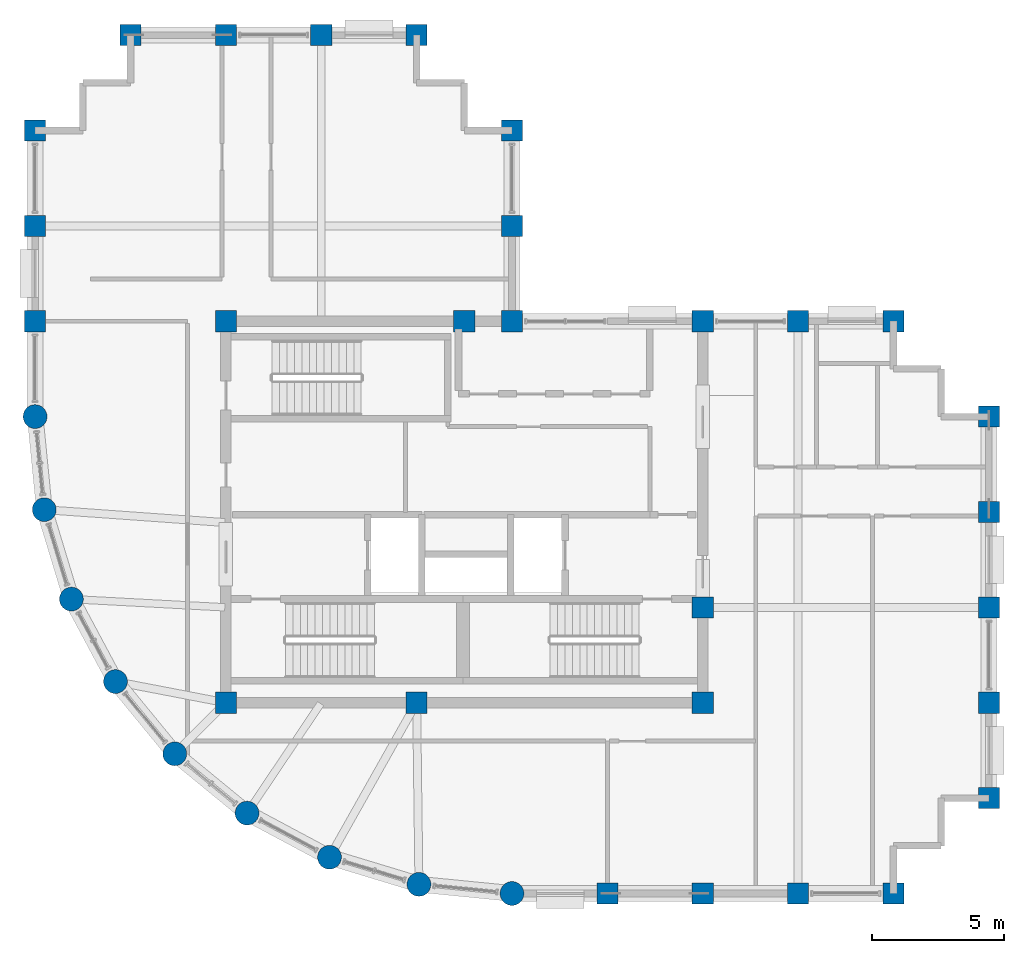
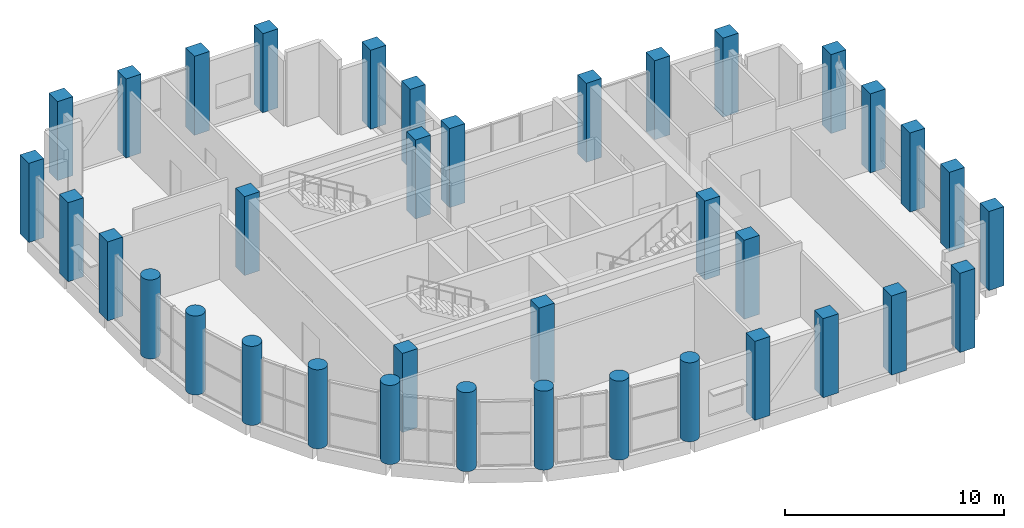
# One storey, part 1 of 18: 37 columns.
"""IFC4 building model written with IfcOpenShell, lengths in metres."""

import ifcopenshell
import ifcopenshell.guid

model = None  # the IFC model being written
_history = None  # IfcOwnerHistory: only IFC2X3 demands one
_inside = {}  # id of a spatial element -> (the spatial element, [elements in it])
_under = {}  # id of a project, library or spatial element -> (it, [spatial elements below it])
_declared = {}  # id of a project -> (the project, [libraries it declares])
_typed = {}  # id of a type object -> (the type object, [elements of that type])
_made_of = {}  # id of a material, layer set ... -> (it, [elements and type objects made of it])


def new_model(schema):
    """Start an empty IFC model of exactly this schema.

    Asked for "IFC4X3", IfcOpenShell would pick the latest addendum, in which some entities
    have other attributes; the version numbers below select the first issue.
    IFC2X3 requires an IfcOwnerHistory on every rooted entity: one is made here for all.
    """
    global model, _history
    if schema == "IFC4X3":
        model = ifcopenshell.file(schema_version=(4, 3, 0, 0))
    else:
        model = ifcopenshell.file(schema=schema)
    _inside.clear()
    _under.clear()
    _declared.clear()
    _typed.clear()
    _made_of.clear()
    _history = None
    if model.schema == "IFC2X3":
        org = make("IfcOrganization", Name="unknown")
        user = make(
            "IfcPersonAndOrganization",
            ThePerson=make("IfcPerson", FamilyName="unknown"),
            TheOrganization=org,
        )
        app = make(
            "IfcApplication",
            ApplicationDeveloper=org,
            Version="unknown",
            ApplicationFullName="unknown",
            ApplicationIdentifier="unknown",
        )
        _history = make(
            "IfcOwnerHistory",
            OwningUser=user,
            OwningApplication=app,
            ChangeAction="ADDED",
            CreationDate=0,
        )
    return model


def make(cls, **values):
    """One entity of the class cls with the attributes given. An attribute that is None is left unset."""
    return model.create_entity(
        cls, **{name: value for name, value in values.items() if value is not None}
    )


def rooted(cls, **values):
    """An entity with a GlobalId (a new one), such as an element, a storey or a relation."""
    return make(cls, GlobalId=ifcopenshell.guid.new(), OwnerHistory=_history, **values)


def si_unit(unit_type, name, prefix=None):
    """IfcSIUnit, for example si_unit("LENGTHUNIT", "METRE", prefix="MILLI")."""
    return make("IfcSIUnit", UnitType=unit_type, Prefix=prefix, Name=name)


def assignment(units):
    """IfcUnitAssignment: the units of a project."""
    return None if units is None else make("IfcUnitAssignment", Units=units)


def point(xyz):
    """IfcCartesianPoint."""
    return None if xyz is None else make("IfcCartesianPoint", Coordinates=xyz)


def direction(xyz):
    """IfcDirection."""
    return None if xyz is None else make("IfcDirection", DirectionRatios=xyz)


def frame(location, z_axis=None, x_axis=None):
    """IfcAxis2Placement3D, a coordinate frame: its origin and axes. An axis left out is left unset."""
    return make(
        "IfcAxis2Placement3D",
        Location=point(location),
        Axis=direction(z_axis),
        RefDirection=direction(x_axis),
    )


def frame_2d(location, x_axis=None):
    """IfcAxis2Placement2D, a coordinate frame in the plane: its origin and x axis."""
    return make(
        "IfcAxis2Placement2D", Location=point(location), RefDirection=direction(x_axis)
    )


def origin():
    """The frame at (0, 0, 0) with its axes left unset."""
    return frame((0.0, 0.0, 0.0))


def origin_2d():
    """The frame at (0, 0) in the plane with its x axis left unset."""
    return frame_2d((0.0, 0.0))


def place(relative_to, where):
    """IfcLocalPlacement: puts the frame where relative to a parent placement (None: the world)."""
    return make(
        "IfcLocalPlacement", PlacementRelTo=relative_to, RelativePlacement=where
    )


def context(
    kind, dimensions, precision=None, world=None, true_north=None, identifier=None
):
    """IfcGeometricRepresentationContext, for example the 3D "Model" context."""
    return make(
        "IfcGeometricRepresentationContext",
        ContextIdentifier=identifier,
        ContextType=kind,
        CoordinateSpaceDimension=dimensions,
        Precision=precision,
        WorldCoordinateSystem=world,
        TrueNorth=true_north,
    )


def subcontext(parent, identifier, kind, view, scale=None):
    """IfcGeometricRepresentationSubContext, for example "Body" below "Model"."""
    return make(
        "IfcGeometricRepresentationSubContext",
        ContextIdentifier=identifier,
        ContextType=kind,
        ParentContext=parent,
        TargetScale=scale,
        TargetView=view,
    )


def project(units=None, contexts=None):
    """IfcProject with its units and contexts."""
    return rooted(
        "IfcProject",
        Name="project",
        RepresentationContexts=contexts,
        UnitsInContext=assignment(units),
    )


def spatial(cls, under=None, at=None, **own):
    """A site, building, storey or space (cls), placed at a placement, below another one or the project."""
    s = rooted(cls, ObjectPlacement=at, **own)
    if under is not None:
        _under.setdefault(under.id(), (under, []))[1].append(s)
    return s


def profile(cls, at=None, kind="AREA", **sizes):
    """A parametric profile (cls). Its sizes go by their IFC names, for example OverallWidth=200.0."""
    return make(cls, ProfileType=kind, Position=at, **sizes)


def rectangle(**sizes):
    """IfcRectangleProfileDef."""
    return profile("IfcRectangleProfileDef", **sizes)


def circle(**sizes):
    """IfcCircleProfileDef."""
    return profile("IfcCircleProfileDef", **sizes)


def extrude(swept, where, along, depth):
    """IfcExtrudedAreaSolid: the profile swept, set in the frame where, extruded along a direction by depth."""
    return make(
        "IfcExtrudedAreaSolid",
        SweptArea=swept,
        Position=where,
        ExtrudedDirection=direction(along),
        Depth=depth,
    )


def shape(context_of_items, identifier, shape_type, items):
    """IfcShapeRepresentation: the items that make up one representation, for example the "Body"."""
    return make(
        "IfcShapeRepresentation",
        ContextOfItems=context_of_items,
        RepresentationIdentifier=identifier,
        RepresentationType=shape_type,
        Items=items,
    )


def material(Name=None, Category=None):
    """IfcMaterial."""
    return make("IfcMaterial", Name=Name, Category=Category)


def material_profile(
    of_material, cross_section, Name=None, Category=None, Priority=None
):
    """IfcMaterialProfile: a cross section and its material."""
    return make(
        "IfcMaterialProfile",
        Name=Name,
        Material=of_material,
        Profile=cross_section,
        Priority=Priority,
        Category=Category,
    )


def profile_set(profiles, Name=None, composite=None):
    """IfcMaterialProfileSet."""
    return make(
        "IfcMaterialProfileSet",
        Name=Name,
        MaterialProfiles=profiles,
        CompositeProfile=composite,
    )


def made_of(thing, what):
    """Note that an element or type object is made of a material, layer set ...; save() writes the relation."""
    if what is not None:
        _made_of.setdefault(what.id(), (what, []))[1].append(thing)
    return thing


def type_object(cls, material=None, **own):
    """A type object (cls), such as IfcWallType, which elements share."""
    return made_of(rooted(cls, **own), material)


def element(
    cls,
    number,
    at=None,
    inside=None,
    cuts=None,
    type_object=None,
    material=None,
    context=None,
    identifier="Body",
    shape_type=None,
    held_by="IfcProductDefinitionShape",
    body=None,
    shapes=None,
    **own,
):
    """One element of the class cls, such as IfcWall. Its Tag is "e" and its number.

    at: its placement. inside: the storey or other place that contains it. cuts: it is an
    opening in that element (IfcRelVoidsElement). A single representation is given by context,
    identifier, shape_type and body (its items); several are given by shapes. held_by: the class
    of the entity that holds the representations. save() writes the other relations.
    """
    e = rooted(cls, Tag="e%d" % number, ObjectPlacement=at, **own)
    if body is not None:
        shapes = [shape(context, identifier, shape_type, body)]
    if shapes is not None:
        e.Representation = make(held_by, Representations=shapes)
    if inside is not None:
        _inside.setdefault(inside.id(), (inside, []))[1].append(e)
    if cuts is not None:
        rooted(
            "IfcRelVoidsElement", RelatingBuildingElement=cuts, RelatedOpeningElement=e
        )
    if type_object is not None:
        _typed.setdefault(type_object.id(), (type_object, []))[1].append(e)
    return made_of(e, material)


def aggregate(whole, parts):
    """IfcRelAggregates: a whole, such as a stair, and the parts it consists of."""
    return rooted("IfcRelAggregates", RelatingObject=whole, RelatedObjects=parts)


def save(model, path):
    """Write the relations noted so far, then the file.

    IfcRelAggregates (storeys below a building ...), IfcRelContainedInSpatialStructure (elements
    in a storey), IfcRelDefinesByType, IfcRelAssociatesMaterial and IfcRelDeclares: one each for
    every whole, place, type object, material and project.
    """
    for whole, parts in _under.values():
        aggregate(whole, parts)
    for where, things in _inside.values():
        rooted(
            "IfcRelContainedInSpatialStructure",
            RelatedElements=things,
            RelatingStructure=where,
        )
    for kind, things in _typed.values():
        rooted("IfcRelDefinesByType", RelatedObjects=things, RelatingType=kind)
    for what, things in _made_of.values():
        rooted("IfcRelAssociatesMaterial", RelatedObjects=things, RelatingMaterial=what)
    for by, libraries in _declared.values():
        rooted("IfcRelDeclares", RelatingContext=by, RelatedDefinitions=libraries)
    model.write(path)


model = new_model("IFC4")

# Units and contexts
model_context = context("Model", 3, precision=1e-05, world=origin(), true_north=direction((0.0, 1.0)))
body_context = subcontext(model_context, "Body", "Model", "MODEL_VIEW")
ifc_project = project(units=[si_unit("LENGTHUNIT", "METRE"), si_unit("AREAUNIT", "SQUARE_METRE"), si_unit("VOLUMEUNIT", "CUBIC_METRE"), si_unit("PLANEANGLEUNIT", "RADIAN"), si_unit("MASSUNIT", "GRAM", prefix="KILO")], contexts=[model_context])

# Site, building, storey
site_placement = place(None, origin())
site = spatial("IfcSite", under=ifc_project, at=site_placement, CompositionType="ELEMENT")
building_placement = place(site_placement, origin())
building = spatial("IfcBuilding", under=site, at=building_placement, Name="Solnavia Interchange Tower", CompositionType="ELEMENT")
storey_placement = place(building_placement, frame((0.0, 0.0, 295.39990234375)))
storey = spatial("IfcBuildingStorey", under=building, at=storey_placement, Name="L75", CompositionType="ELEMENT", Elevation=295.39990234375)

# Columns
ifc_material = material(Name="Concrete C50/60", Category="concrete")
ifc_material_profile_1 = material_profile(ifc_material, rectangle(XDim=0.800048828125, YDim=0.800048828125, at=origin_2d()), Name="RC 800x800")
ifc_profile_set_1 = profile_set([ifc_material_profile_1], Name="Concrete C50/60")
column_type_1 = type_object("IfcColumnType", Name="Col-RC-800x800", PredefinedType="COLUMN", material=ifc_profile_set_1)
for number, where, z_axis, x_axis, name in (
    (1, (7.199951171875, 25.199951171875, 0.0), (0.0, 0.0, 1.0), (0.0, 1.0, 0.0), "COL-L75-02 Tower perim y column"),
    (2, (7.199951171875, 28.800048828125, 0.0), (0.0, 0.0, 1.0), (0.0, 1.0, 0.0), "COL-L75-03 Tower perim y column"),
    (3, (7.199951171875, 32.39990234375, 0.0), (0.0, 0.0, 1.0), (0.0, 1.0, 0.0), "COL-L75-04 Tower corner column"),
    (4, (10.800048828125, 36.0, 0.0), (0.0, 0.0, 1.0), (1.0, 0.0, 0.0), "COL-L75-08 Tower corner column"),
    (5, (14.39990234375, 10.800048828125, 0.0), (0.0, 0.0, 1.0), (1.0, 0.0, 0.0), "COL-L75-10 Tower interior column"),
    (6, (14.39990234375, 25.199951171875, 0.0), (0.0, 0.0, 1.0), (1.0, 0.0, 0.0), "COL-L75-11 Tower interior column"),
    (7, (14.39990234375, 36.0, 0.0), (0.0, 0.0, 1.0), (1.0, 0.0, 0.0), "COL-L75-12 Tower perim x column"),
    (8, (18.0, 36.0, 0.0), (0.0, 0.0, 1.0), (1.0, 0.0, 0.0), "COL-L75-14 Tower perim x column"),
    (9, (21.60009765625, 10.800048828125, 0.0), (0.0, 0.0, 1.0), (1.0, 0.0, 0.0), "COL-L75-16 Tower interior column"),
    (10, (21.60009765625, 36.0, 0.0), (0.0, 0.0, 1.0), (1.0, 0.0, 0.0), "COL-L75-17 Tower corner column"),
    (11, (23.39990234375, 25.199951171875, 0.0), (0.0, 0.0, 1.0), (1.0, 0.0, 0.0), "COL-L75-19 Tower interior column"),
    (12, (25.199951171875, 25.199951171875, 0.0), (0.0, 0.0, 1.0), (1.0, 0.0, 0.0), "COL-L75-21 Tower interior column"),
    (13, (25.199951171875, 28.800048828125, 0.0), (0.0, 0.0, 1.0), (0.0, 1.0, 0.0), "COL-L75-22 Tower perim y column"),
    (14, (25.199951171875, 32.39990234375, 0.0), (0.0, 0.0, 1.0), (0.0, 1.0, 0.0), "COL-L75-23 Tower corner column"),
    (15, (28.800048828125, 3.60009765625, 0.0), (0.0, 0.0, 1.0), (1.0, 0.0, 0.0), "COL-L75-24 Tower perim x column"),
    (16, (32.39990234375, 3.60009765625, 0.0), (0.0, 0.0, 1.0), (1.0, 0.0, 0.0), "COL-L75-25 Tower perim x column"),
    (17, (32.39990234375, 10.800048828125, 0.0), (0.0, 0.0, 1.0), (1.0, 0.0, 0.0), "COL-L75-26 Tower interior column"),
    (18, (32.39990234375, 14.39990234375, 0.0), (0.0, 0.0, 1.0), (1.0, 0.0, 0.0), "COL-L75-27 Tower interior column"),
    (19, (32.39990234375, 25.199951171875, 0.0), (0.0, 0.0, 1.0), (1.0, 0.0, 0.0), "COL-L75-28 Tower interior column"),
    (20, (36.0, 3.60009765625, 0.0), (0.0, 0.0, 1.0), (1.0, 0.0, 0.0), "COL-L75-29 Tower perim x column"),
    (21, (36.0, 25.199951171875, 0.0), (0.0, 0.0, 1.0), (1.0, 0.0, 0.0), "COL-L75-30 Tower perim x column"),
    (22, (39.60009765625, 3.60009765625, 0.0), (0.0, 0.0, 1.0), (1.0, 0.0, 0.0), "COL-L75-31 Tower corner column"),
    (23, (39.60009765625, 25.199951171875, 0.0), (0.0, 0.0, 1.0), (1.0, 0.0, 0.0), "COL-L75-32 Tower corner column"),
    (24, (43.199951171875, 7.199951171875, 0.0), (0.0, 0.0, 1.0), (1.0, 0.0, 0.0), "COL-L75-33 Tower corner column"),
    (25, (43.199951171875, 10.800048828125, 0.0), (0.0, 0.0, 1.0), (0.0, 1.0, 0.0), "COL-L75-34 Tower perim y column"),
    (26, (43.199951171875, 14.39990234375, 0.0), (0.0, 0.0, 1.0), (0.0, 1.0, 0.0), "COL-L75-35 Tower perim y column"),
    (27, (43.199951171875, 18.0, 0.0), (0.0, 0.0, 1.0), (0.0, 1.0, 0.0), "COL-L75-36 Tower perim y column"),
    (28, (43.199951171875, 21.60009765625, 0.0), (0.0, 0.0, 1.0), (0.0, 1.0, 0.0), "COL-L75-37 Tower corner column"),
):
    element("IfcColumn", number, at=place(storey_placement, frame(where, z_axis=z_axis, x_axis=x_axis)), inside=storey, type_object=column_type_1, Name=name, PredefinedType="COLUMN", context=body_context, shape_type="SweptSolid", body=[
        extrude(rectangle(XDim=0.800048828125, YDim=0.800048828125, at=origin_2d()), origin(), (0.0, 0.0, 1.0), 4.400146484375),
    ])
ifc_material_profile_2 = material_profile(ifc_material, circle(Radius=0.449951171875, at=origin_2d()), Name="RC D900")
ifc_profile_set_2 = profile_set([ifc_material_profile_2], Name="Concrete C50/60")
column_type_2 = type_object("IfcColumnType", Name="Col-RC-D900", PredefinedType="COLUMN", material=ifc_profile_set_2)
for number, where, z_axis, x_axis, name in (
    (29, (7.199951171875, 21.60009765625, 0.0), (0.0, 0.0, 1.0), (1.0, 0.0, 0.0), "COL-L75-01 Tower drum column"),
    (30, (7.5458984375, 18.087890625, 0.0), (0.0, 0.0, 1.0), (1.0, 0.0, 0.0), "COL-L75-05 Tower drum column"),
    (31, (8.570068359375, 14.7119140625, 0.0), (0.0, 0.0, 1.0), (1.0, 0.0, 0.0), "COL-L75-06 Tower drum column"),
    (32, (10.23388671875, 11.60009765625, 0.0), (0.0, 0.0, 1.0), (1.0, 0.0, 0.0), "COL-L75-07 Tower drum column"),
    (33, (12.471923828125, 8.8720703125, 0.0), (0.0, 0.0, 1.0), (1.0, 0.0, 0.0), "COL-L75-09 Tower drum column"),
    (34, (15.199951171875, 6.634033203125, 0.0), (0.0, 0.0, 1.0), (1.0, 0.0, 0.0), "COL-L75-13 Tower drum column"),
    (35, (18.31201171875, 4.969970703125, 0.0), (0.0, 0.0, 1.0), (1.0, 0.0, 0.0), "COL-L75-15 Tower drum column"),
    (36, (21.68798828125, 3.946044921875, 0.0), (0.0, 0.0, 1.0), (1.0, 0.0, 0.0), "COL-L75-18 Tower drum column"),
    (37, (25.199951171875, 3.60009765625, 0.0), (0.0, 0.0, 1.0), (1.0, 0.0, 0.0), "COL-L75-20 Tower drum column"),
):
    element("IfcColumn", number, at=place(storey_placement, frame(where, z_axis=z_axis, x_axis=x_axis)), inside=storey, type_object=column_type_2, Name=name, PredefinedType="COLUMN", context=body_context, shape_type="SweptSolid", body=[
        extrude(circle(Radius=0.449951171875, at=origin_2d()), origin(), (0.0, 0.0, 1.0), 4.400146484375),
    ])

save(model, "model.ifc")
